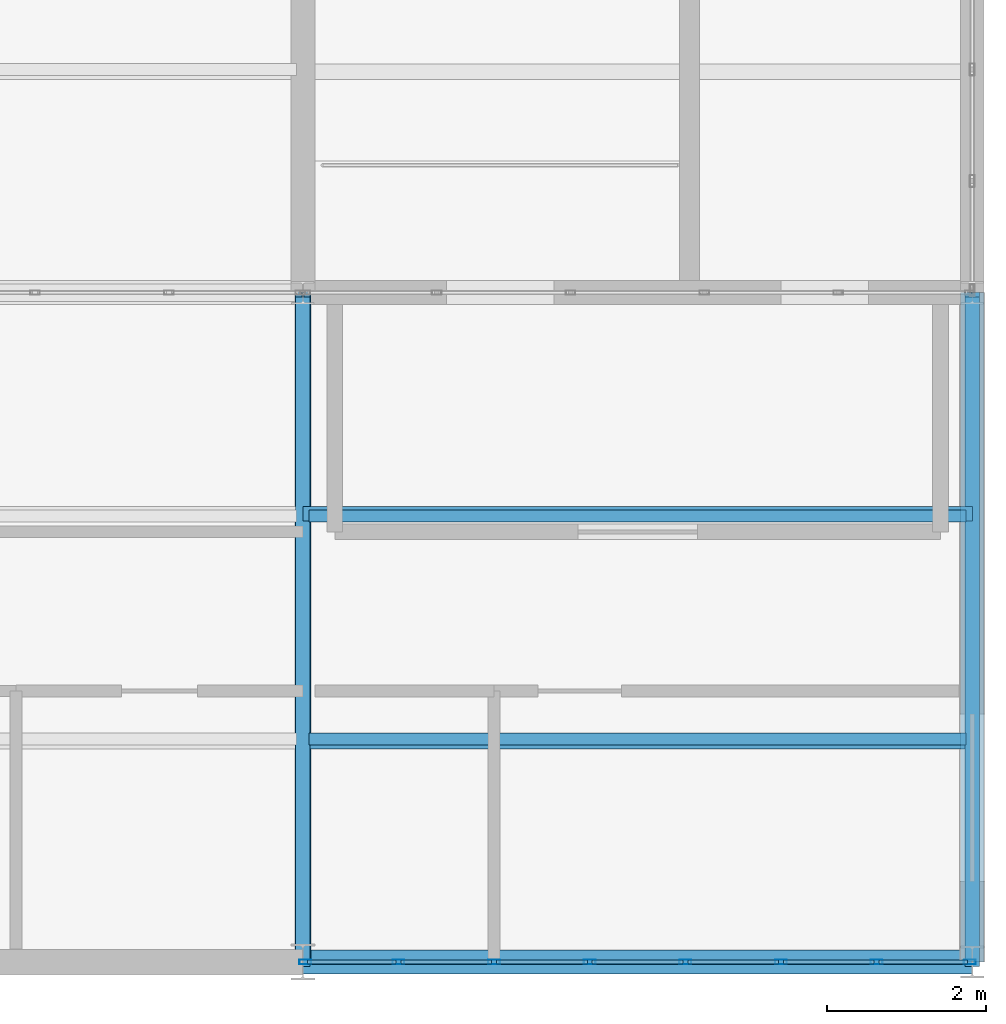
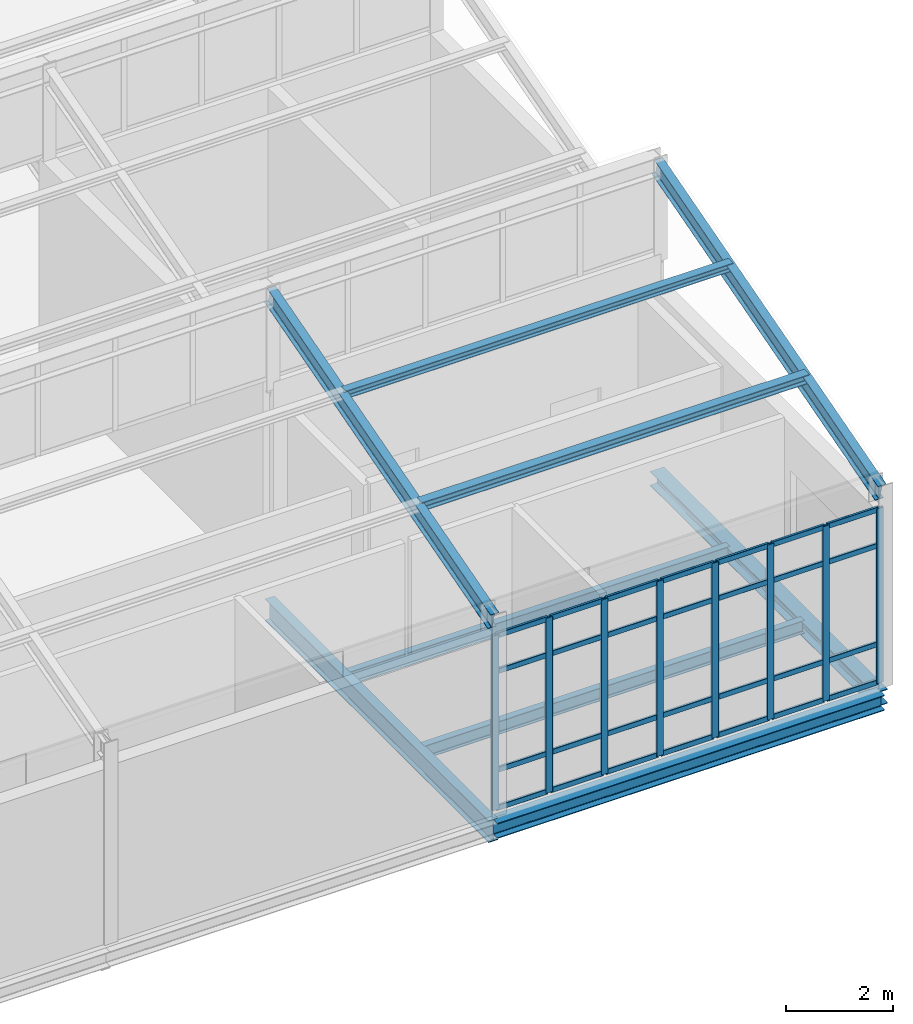
# One storey, part 30 of 53: 38 members, 7 beams, 1 element without a shape of its own.
"""IFC4 building model written with IfcOpenShell, lengths in metres."""

from ifc_helpers import new_model, si_unit, direction, frame, origin, origin_2d, place, context, subcontext, project, spatial, hollow_rectangle, i_section, extrude, material, layer, layer_set, material_profile, profile_set, type_object, element, aggregate, save


model = new_model("IFC4")

# Units and contexts
model_context = context("Model", 3, precision=1e-05, world=origin(), true_north=direction((0.0, 1.0)))
body_context = subcontext(model_context, "Body", "Model", "MODEL_VIEW")
ifc_project = project(units=[si_unit("LENGTHUNIT", "METRE"), si_unit("AREAUNIT", "SQUARE_METRE"), si_unit("VOLUMEUNIT", "CUBIC_METRE"), si_unit("PLANEANGLEUNIT", "RADIAN"), si_unit("MASSUNIT", "GRAM", prefix="KILO")], contexts=[model_context])

# Site, building, storey
site_placement = place(None, origin())
site = spatial("IfcSite", under=ifc_project, at=site_placement, CompositionType="ELEMENT")
building_placement = place(site_placement, origin())
building = spatial("IfcBuilding", under=site, at=building_placement, Name="Qalvenar Corner Mobility Hub", CompositionType="ELEMENT")
storey_placement = place(building_placement, frame((0.0, 0.0, 26.39990234375)))
storey = spatial("IfcBuildingStorey", under=building, at=storey_placement, Name="L06", CompositionType="ELEMENT", Elevation=26.39990234375)

# Beams
ifc_material_1 = material(Name="Steel S355", Category="steel")
ifc_material_profile_1 = material_profile(ifc_material_1, i_section(OverallWidth=0.179931640625, OverallDepth=0.39990234375, WebThickness=0.008544921875, FlangeThickness=0.013427734375, FilletRadius=0.02099609375, at=origin_2d()), Name="IPE400")
ifc_profile_set_1 = profile_set([ifc_material_profile_1], Name="Steel S355")
beam_type_1 = type_object("IfcBeamType", Name="BM-IPE400", PredefinedType="BEAM", material=ifc_profile_set_1)
for number, where, z_axis, x_axis, name in (
    (1, (33.60009765625, 0.0, 4.340087890625), (0.0, 0.96152605678, 0.274713745804), (-1.0, 0.0, 0.0), "Sawtooth Rafter V3RF-1-5"),
    (2, (42.0, 0.0, 4.340087890625), (0.0, 0.96152605678, 0.274713745804), (-1.0, 0.0, 0.0), "Sawtooth Rafter V3RF-1-6"),
):
    element("IfcBeam", number, at=place(storey_placement, frame(where, z_axis=z_axis, x_axis=x_axis)), inside=storey, type_object=beam_type_1, Name=name, PredefinedType="BEAM", context=body_context, shape_type="SweptSolid", body=[
        extrude(i_section(OverallWidth=0.179931640625, OverallDepth=0.39990234375, WebThickness=0.008544921875, FlangeThickness=0.013427734375, FilletRadius=0.02099609375, at=origin_2d()), origin(), (0.0, 0.0, 1.0), 8.736083984375),
    ])
ifc_material_profile_2 = material_profile(ifc_material_1, i_section(OverallWidth=0.199951171875, OverallDepth=0.5, WebThickness=0.01025390625, FlangeThickness=0.01611328125, FilletRadius=0.02099609375, at=origin_2d()), Name="IPE500")
ifc_profile_set_2 = profile_set([ifc_material_profile_2], Name="Steel S355")
beam_type_2 = type_object("IfcBeamType", Name="BM-IPE500", PredefinedType="BEAM", material=ifc_profile_set_2)
beam_1_placement = place(storey_placement, frame((33.60009765625, 0.0, -0.469970703125), z_axis=(0.0, 1.0, 0.0), x_axis=(-1.0, 0.0, 0.0)))
element("IfcBeam", 3, at=beam_1_placement, inside=storey, type_object=beam_type_2, Name="Primary Steel Girder GY-3093", PredefinedType="BEAM", context=body_context, shape_type="SweptSolid", body=[
    extrude(i_section(OverallWidth=0.199951171875, OverallDepth=0.5, WebThickness=0.01025390625, FlangeThickness=0.01611328125, FilletRadius=0.02099609375, at=origin_2d()), origin(), (0.0, 0.0, 1.0), 8.39990234375),
])
ifc_material_profile_3 = material_profile(ifc_material_1, i_section(OverallWidth=0.14990234375, OverallDepth=0.300048828125, WebThickness=0.007080078125, FlangeThickness=0.0107421875, FilletRadius=0.014892578125, at=origin_2d()), Name="IPE300")
ifc_profile_set_3 = profile_set([ifc_material_profile_3], Name="Steel S355")
beam_type_3 = type_object("IfcBeamType", Name="BM-JST300", PredefinedType="JOIST", material=ifc_profile_set_3)
for number, where, z_axis, x_axis, name in (
    (4, (33.677978515625, 2.800048828125, -0.369873046875), (1.0, 0.0, 0.0), (0.0, 1.0, 0.0), "Composite Floor Joist J-3132"),
    (5, (33.677978515625, 5.60009765625, -0.369873046875), (1.0, 0.0, 0.0), (0.0, 1.0, 0.0), "Composite Floor Joist J-3133"),
):
    element("IfcBeam", number, at=place(storey_placement, frame(where, z_axis=z_axis, x_axis=x_axis)), inside=storey, type_object=beam_type_3, Name=name, PredefinedType="JOIST", context=body_context, shape_type="SweptSolid", body=[
        extrude(i_section(OverallWidth=0.14990234375, OverallDepth=0.300048828125, WebThickness=0.007080078125, FlangeThickness=0.0107421875, FilletRadius=0.014892578125, at=origin_2d()), origin(), (0.0, 0.0, 1.0), 8.244140625),
    ])
ifc_material_profile_4 = material_profile(ifc_material_1, i_section(OverallWidth=0.300048828125, OverallDepth=0.330078125, WebThickness=0.009521484375, FlangeThickness=0.0166015625, FilletRadius=0.027099609375, at=origin_2d()), Name="HEA340")
ifc_profile_set_4 = profile_set([ifc_material_profile_4], Name="Steel S355")
beam_type_4 = type_object("IfcBeamType", Name="BM-SPN340", PredefinedType="SPANDREL", material=ifc_profile_set_4)
beam_2_placement = place(storey_placement, frame((42.0, 0.0, -0.385009765625), z_axis=(0.0, 1.0, 0.0), x_axis=(-1.0, 0.0, 0.0)))
element("IfcBeam", 6, at=beam_2_placement, inside=storey, type_object=beam_type_4, Name="Primary Steel Girder GY-3097", PredefinedType="SPANDREL", context=body_context, shape_type="SweptSolid", body=[
    extrude(i_section(OverallWidth=0.300048828125, OverallDepth=0.330078125, WebThickness=0.009521484375, FlangeThickness=0.0166015625, FilletRadius=0.027099609375, at=origin_2d()), origin(), (0.0, 0.0, 1.0), 8.39990234375),
])
ifc_material_profile_5 = material_profile(ifc_material_1, i_section(OverallWidth=0.300048828125, OverallDepth=0.35009765625, WebThickness=0.010009765625, FlangeThickness=0.017578125, FilletRadius=0.027099609375, at=origin_2d()), Name="HEA360")
ifc_profile_set_5 = profile_set([ifc_material_profile_5], Name="Steel S355")
beam_type_5 = type_object("IfcBeamType", Name="BM-SPN360", PredefinedType="SPANDREL", material=ifc_profile_set_5)
beam_3_placement = place(storey_placement, frame((33.60009765625, 0.0, -0.39501953125), z_axis=(1.0, 0.0, 0.0), x_axis=(0.0, 1.0, 0.0)))
element("IfcBeam", 7, at=beam_3_placement, inside=storey, type_object=beam_type_5, Name="Primary Steel Girder GX-3056", PredefinedType="SPANDREL", context=body_context, shape_type="SweptSolid", body=[
    extrude(i_section(OverallWidth=0.300048828125, OverallDepth=0.35009765625, WebThickness=0.010009765625, FlangeThickness=0.017578125, FilletRadius=0.027099609375, at=origin_2d()), origin(), (0.0, 0.0, 1.0), 8.39990234375),
])

# Curtain wall, members
ifc_material_2 = material(Name="Anodised Aluminium and Low-E Glazing", Category="aluminium")
ifc_layer = layer(ifc_material_2, 0.14990234375)
ifc_layer_set = layer_set([ifc_layer], Name="Anodised Aluminium and Low-E Glazing")
curtain_wall_type = type_object("IfcCurtainWallType", Name="CW-SPT-84X44", PredefinedType="NOTDEFINED", material=ifc_layer_set)
curtain_wall_placement = place(storey_placement, origin())
curtain_wall = element("IfcCurtainWall", 8, at=curtain_wall_placement, inside=storey, type_object=curtain_wall_type, Name="Glazed Curtain Wall CW-V3-L06-S4", PredefinedType="NOTDEFINED")
ifc_material_3 = material(Name="Anodised Aluminium 6063-T6", Category="aluminium")
ifc_material_profile_6 = material_profile(ifc_material_3, hollow_rectangle(XDim=0.06005859375, YDim=0.14990234375, WallThickness=0.00390625, InnerFilletRadius=0.00390625, OuterFilletRadius=0.008056640625, at=origin_2d()), Name="RHS150x60x4")
ifc_profile_set_6 = profile_set([ifc_material_profile_6], Name="Anodised Aluminium 6063-T6")
member_type_1 = type_object("IfcMemberType", Name="CW-MUL150", PredefinedType="MULLION", material=ifc_profile_set_6)
member_1_placement = place(storey_placement, frame((33.6298828125, 0.0, 0.0), z_axis=(0.0, 0.0, 1.0), x_axis=(0.0, 1.0, 0.0)))
member_1 = element("IfcMember", 9, at=member_1_placement, type_object=member_type_1, Name="CW-06 mullion 1", PredefinedType="MULLION", context=body_context, shape_type="SweptSolid", body=[
    extrude(hollow_rectangle(XDim=0.06005859375, YDim=0.14990234375, WallThickness=0.00390625, InnerFilletRadius=0.00390625, OuterFilletRadius=0.008056640625, at=origin_2d()), origin(), (0.0, 0.0, 1.0), 4.010009765625),
])
member_2_placement = place(storey_placement, frame((34.800048828125, 0.0, 0.0), z_axis=(0.0, 0.0, 1.0), x_axis=(0.0, 1.0, 0.0)))
member_2 = element("IfcMember", 10, at=member_2_placement, type_object=member_type_1, Name="CW-06 mullion 2", PredefinedType="MULLION", context=body_context, shape_type="SweptSolid", body=[
    extrude(hollow_rectangle(XDim=0.06005859375, YDim=0.14990234375, WallThickness=0.00390625, InnerFilletRadius=0.00390625, OuterFilletRadius=0.008056640625, at=origin_2d()), origin(), (0.0, 0.0, 1.0), 4.010009765625),
])
member_3_placement = place(storey_placement, frame((36.0, 0.0, 0.0), z_axis=(0.0, 0.0, 1.0), x_axis=(0.0, 1.0, 0.0)))
member_3 = element("IfcMember", 11, at=member_3_placement, type_object=member_type_1, Name="CW-06 mullion 3", PredefinedType="MULLION", context=body_context, shape_type="SweptSolid", body=[
    extrude(hollow_rectangle(XDim=0.06005859375, YDim=0.14990234375, WallThickness=0.00390625, InnerFilletRadius=0.00390625, OuterFilletRadius=0.008056640625, at=origin_2d()), origin(), (0.0, 0.0, 1.0), 4.010009765625),
])
member_4_placement = place(storey_placement, frame((37.199951171875, 0.0, 0.0), z_axis=(0.0, 0.0, 1.0), x_axis=(0.0, 1.0, 0.0)))
member_4 = element("IfcMember", 12, at=member_4_placement, type_object=member_type_1, Name="CW-06 mullion 4", PredefinedType="MULLION", context=body_context, shape_type="SweptSolid", body=[
    extrude(hollow_rectangle(XDim=0.06005859375, YDim=0.14990234375, WallThickness=0.00390625, InnerFilletRadius=0.00390625, OuterFilletRadius=0.008056640625, at=origin_2d()), origin(), (0.0, 0.0, 1.0), 4.010009765625),
])
member_5_placement = place(storey_placement, frame((38.39990234375, 0.0, 0.0), z_axis=(0.0, 0.0, 1.0), x_axis=(0.0, 1.0, 0.0)))
member_5 = element("IfcMember", 13, at=member_5_placement, type_object=member_type_1, Name="CW-06 mullion 5", PredefinedType="MULLION", context=body_context, shape_type="SweptSolid", body=[
    extrude(hollow_rectangle(XDim=0.06005859375, YDim=0.14990234375, WallThickness=0.00390625, InnerFilletRadius=0.00390625, OuterFilletRadius=0.008056640625, at=origin_2d()), origin(), (0.0, 0.0, 1.0), 4.010009765625),
])
member_6_placement = place(storey_placement, frame((39.60009765625, 0.0, 0.0), z_axis=(0.0, 0.0, 1.0), x_axis=(0.0, 1.0, 0.0)))
member_6 = element("IfcMember", 14, at=member_6_placement, type_object=member_type_1, Name="CW-06 mullion 6", PredefinedType="MULLION", context=body_context, shape_type="SweptSolid", body=[
    extrude(hollow_rectangle(XDim=0.06005859375, YDim=0.14990234375, WallThickness=0.00390625, InnerFilletRadius=0.00390625, OuterFilletRadius=0.008056640625, at=origin_2d()), origin(), (0.0, 0.0, 1.0), 4.010009765625),
])
member_7_placement = place(storey_placement, frame((40.800048828125, 0.0, 0.0), z_axis=(0.0, 0.0, 1.0), x_axis=(0.0, 1.0, 0.0)))
member_7 = element("IfcMember", 15, at=member_7_placement, type_object=member_type_1, Name="CW-06 mullion 7", PredefinedType="MULLION", context=body_context, shape_type="SweptSolid", body=[
    extrude(hollow_rectangle(XDim=0.06005859375, YDim=0.14990234375, WallThickness=0.00390625, InnerFilletRadius=0.00390625, OuterFilletRadius=0.008056640625, at=origin_2d()), origin(), (0.0, 0.0, 1.0), 4.010009765625),
])
member_8_placement = place(storey_placement, frame((41.969970703125, 0.0, 0.0), z_axis=(0.0, 0.0, 1.0), x_axis=(0.0, 1.0, 0.0)))
member_8 = element("IfcMember", 16, at=member_8_placement, type_object=member_type_1, Name="CW-06 mullion 8", PredefinedType="MULLION", context=body_context, shape_type="SweptSolid", body=[
    extrude(hollow_rectangle(XDim=0.06005859375, YDim=0.14990234375, WallThickness=0.00390625, InnerFilletRadius=0.00390625, OuterFilletRadius=0.008056640625, at=origin_2d()), origin(), (0.0, 0.0, 1.0), 4.010009765625),
])
ifc_material_profile_7 = material_profile(ifc_material_3, hollow_rectangle(XDim=0.054931640625, YDim=0.1201171875, WallThickness=0.00341796875, InnerFilletRadius=0.00341796875, OuterFilletRadius=0.007080078125, at=origin_2d()), Name="RHS120x55x3.5")
ifc_profile_set_7 = profile_set([ifc_material_profile_7], Name="Anodised Aluminium 6063-T6")
member_type_2 = type_object("IfcMemberType", Name="CW-TRN120", PredefinedType="USERDEFINED", material=ifc_profile_set_7)
member_9_placement = place(storey_placement, frame((33.659912109375, 0.0, 0.027587890625), z_axis=(1.0, 0.0, 0.0), x_axis=(0.0, 1.0, 0.0)))
member_9 = element("IfcMember", 17, at=member_9_placement, type_object=member_type_2, Name="CW-06 transom 1.1", ObjectType="TRANSOM", PredefinedType="USERDEFINED", context=body_context, shape_type="SweptSolid", body=[
    extrude(hollow_rectangle(XDim=0.054931640625, YDim=0.1201171875, WallThickness=0.00341796875, InnerFilletRadius=0.00341796875, OuterFilletRadius=0.007080078125, at=origin_2d()), origin(), (0.0, 0.0, 1.0), 1.110107421875),
])
member_10_placement = place(storey_placement, frame((33.659912109375, 0.0, 0.900146484375), z_axis=(1.0, 0.0, 0.0), x_axis=(0.0, 1.0, 0.0)))
member_10 = element("IfcMember", 18, at=member_10_placement, type_object=member_type_2, Name="CW-06 transom 1.2", ObjectType="TRANSOM", PredefinedType="USERDEFINED", context=body_context, shape_type="SweptSolid", body=[
    extrude(hollow_rectangle(XDim=0.054931640625, YDim=0.1201171875, WallThickness=0.00341796875, InnerFilletRadius=0.00341796875, OuterFilletRadius=0.007080078125, at=origin_2d()), origin(), (0.0, 0.0, 1.0), 1.110107421875),
])
member_11_placement = place(storey_placement, frame((33.659912109375, 0.0, 3.16015625), z_axis=(1.0, 0.0, 0.0), x_axis=(0.0, 1.0, 0.0)))
member_11 = element("IfcMember", 19, at=member_11_placement, type_object=member_type_2, Name="CW-06 transom 1.3", ObjectType="TRANSOM", PredefinedType="USERDEFINED", context=body_context, shape_type="SweptSolid", body=[
    extrude(hollow_rectangle(XDim=0.054931640625, YDim=0.1201171875, WallThickness=0.00341796875, InnerFilletRadius=0.00341796875, OuterFilletRadius=0.007080078125, at=origin_2d()), origin(), (0.0, 0.0, 1.0), 1.110107421875),
])
member_12_placement = place(storey_placement, frame((33.659912109375, 0.0, 3.982666015625), z_axis=(1.0, 0.0, 0.0), x_axis=(0.0, 1.0, 0.0)))
member_12 = element("IfcMember", 20, at=member_12_placement, type_object=member_type_2, Name="CW-06 transom 1.4", ObjectType="TRANSOM", PredefinedType="USERDEFINED", context=body_context, shape_type="SweptSolid", body=[
    extrude(hollow_rectangle(XDim=0.054931640625, YDim=0.1201171875, WallThickness=0.00341796875, InnerFilletRadius=0.00341796875, OuterFilletRadius=0.007080078125, at=origin_2d()), origin(), (0.0, 0.0, 1.0), 1.110107421875),
])
member_13_placement = place(storey_placement, frame((34.830078125, 0.0, 0.027587890625), z_axis=(1.0, 0.0, 0.0), x_axis=(0.0, 1.0, 0.0)))
member_13 = element("IfcMember", 21, at=member_13_placement, type_object=member_type_2, Name="CW-06 transom 2.1", ObjectType="TRANSOM", PredefinedType="USERDEFINED", context=body_context, shape_type="SweptSolid", body=[
    extrude(hollow_rectangle(XDim=0.054931640625, YDim=0.1201171875, WallThickness=0.00341796875, InnerFilletRadius=0.00341796875, OuterFilletRadius=0.007080078125, at=origin_2d()), origin(), (0.0, 0.0, 1.0), 1.139892578125),
])
member_14_placement = place(storey_placement, frame((34.830078125, 0.0, 0.900146484375), z_axis=(1.0, 0.0, 0.0), x_axis=(0.0, 1.0, 0.0)))
member_14 = element("IfcMember", 22, at=member_14_placement, type_object=member_type_2, Name="CW-06 transom 2.2", ObjectType="TRANSOM", PredefinedType="USERDEFINED", context=body_context, shape_type="SweptSolid", body=[
    extrude(hollow_rectangle(XDim=0.054931640625, YDim=0.1201171875, WallThickness=0.00341796875, InnerFilletRadius=0.00341796875, OuterFilletRadius=0.007080078125, at=origin_2d()), origin(), (0.0, 0.0, 1.0), 1.139892578125),
])
member_15_placement = place(storey_placement, frame((34.830078125, 0.0, 3.16015625), z_axis=(1.0, 0.0, 0.0), x_axis=(0.0, 1.0, 0.0)))
member_15 = element("IfcMember", 23, at=member_15_placement, type_object=member_type_2, Name="CW-06 transom 2.3", ObjectType="TRANSOM", PredefinedType="USERDEFINED", context=body_context, shape_type="SweptSolid", body=[
    extrude(hollow_rectangle(XDim=0.054931640625, YDim=0.1201171875, WallThickness=0.00341796875, InnerFilletRadius=0.00341796875, OuterFilletRadius=0.007080078125, at=origin_2d()), origin(), (0.0, 0.0, 1.0), 1.139892578125),
])
member_16_placement = place(storey_placement, frame((34.830078125, 0.0, 3.982666015625), z_axis=(1.0, 0.0, 0.0), x_axis=(0.0, 1.0, 0.0)))
member_16 = element("IfcMember", 24, at=member_16_placement, type_object=member_type_2, Name="CW-06 transom 2.4", ObjectType="TRANSOM", PredefinedType="USERDEFINED", context=body_context, shape_type="SweptSolid", body=[
    extrude(hollow_rectangle(XDim=0.054931640625, YDim=0.1201171875, WallThickness=0.00341796875, InnerFilletRadius=0.00341796875, OuterFilletRadius=0.007080078125, at=origin_2d()), origin(), (0.0, 0.0, 1.0), 1.139892578125),
])
member_17_placement = place(storey_placement, frame((36.030029296875, 0.0, 0.027587890625), z_axis=(1.0, 0.0, 0.0), x_axis=(0.0, 1.0, 0.0)))
member_17 = element("IfcMember", 25, at=member_17_placement, type_object=member_type_2, Name="CW-06 transom 3.1", ObjectType="TRANSOM", PredefinedType="USERDEFINED", context=body_context, shape_type="SweptSolid", body=[
    extrude(hollow_rectangle(XDim=0.054931640625, YDim=0.1201171875, WallThickness=0.00341796875, InnerFilletRadius=0.00341796875, OuterFilletRadius=0.007080078125, at=origin_2d()), origin(), (0.0, 0.0, 1.0), 1.139892578125),
])
member_18_placement = place(storey_placement, frame((36.030029296875, 0.0, 0.900146484375), z_axis=(1.0, 0.0, 0.0), x_axis=(0.0, 1.0, 0.0)))
member_18 = element("IfcMember", 26, at=member_18_placement, type_object=member_type_2, Name="CW-06 transom 3.2", ObjectType="TRANSOM", PredefinedType="USERDEFINED", context=body_context, shape_type="SweptSolid", body=[
    extrude(hollow_rectangle(XDim=0.054931640625, YDim=0.1201171875, WallThickness=0.00341796875, InnerFilletRadius=0.00341796875, OuterFilletRadius=0.007080078125, at=origin_2d()), origin(), (0.0, 0.0, 1.0), 1.139892578125),
])
member_19_placement = place(storey_placement, frame((36.030029296875, 0.0, 3.16015625), z_axis=(1.0, 0.0, 0.0), x_axis=(0.0, 1.0, 0.0)))
member_19 = element("IfcMember", 27, at=member_19_placement, type_object=member_type_2, Name="CW-06 transom 3.3", ObjectType="TRANSOM", PredefinedType="USERDEFINED", context=body_context, shape_type="SweptSolid", body=[
    extrude(hollow_rectangle(XDim=0.054931640625, YDim=0.1201171875, WallThickness=0.00341796875, InnerFilletRadius=0.00341796875, OuterFilletRadius=0.007080078125, at=origin_2d()), origin(), (0.0, 0.0, 1.0), 1.139892578125),
])
member_20_placement = place(storey_placement, frame((36.030029296875, 0.0, 3.982666015625), z_axis=(1.0, 0.0, 0.0), x_axis=(0.0, 1.0, 0.0)))
member_20 = element("IfcMember", 28, at=member_20_placement, type_object=member_type_2, Name="CW-06 transom 3.4", ObjectType="TRANSOM", PredefinedType="USERDEFINED", context=body_context, shape_type="SweptSolid", body=[
    extrude(hollow_rectangle(XDim=0.054931640625, YDim=0.1201171875, WallThickness=0.00341796875, InnerFilletRadius=0.00341796875, OuterFilletRadius=0.007080078125, at=origin_2d()), origin(), (0.0, 0.0, 1.0), 1.139892578125),
])
member_21_placement = place(storey_placement, frame((37.22998046875, 0.0, 0.027587890625), z_axis=(1.0, 0.0, 0.0), x_axis=(0.0, 1.0, 0.0)))
member_21 = element("IfcMember", 29, at=member_21_placement, type_object=member_type_2, Name="CW-06 transom 4.1", ObjectType="TRANSOM", PredefinedType="USERDEFINED", context=body_context, shape_type="SweptSolid", body=[
    extrude(hollow_rectangle(XDim=0.054931640625, YDim=0.1201171875, WallThickness=0.00341796875, InnerFilletRadius=0.00341796875, OuterFilletRadius=0.007080078125, at=origin_2d()), origin(), (0.0, 0.0, 1.0), 1.14013671875),
])
member_22_placement = place(storey_placement, frame((37.22998046875, 0.0, 0.900146484375), z_axis=(1.0, 0.0, 0.0), x_axis=(0.0, 1.0, 0.0)))
member_22 = element("IfcMember", 30, at=member_22_placement, type_object=member_type_2, Name="CW-06 transom 4.2", ObjectType="TRANSOM", PredefinedType="USERDEFINED", context=body_context, shape_type="SweptSolid", body=[
    extrude(hollow_rectangle(XDim=0.054931640625, YDim=0.1201171875, WallThickness=0.00341796875, InnerFilletRadius=0.00341796875, OuterFilletRadius=0.007080078125, at=origin_2d()), origin(), (0.0, 0.0, 1.0), 1.14013671875),
])
member_23_placement = place(storey_placement, frame((37.22998046875, 0.0, 3.16015625), z_axis=(1.0, 0.0, 0.0), x_axis=(0.0, 1.0, 0.0)))
member_23 = element("IfcMember", 31, at=member_23_placement, type_object=member_type_2, Name="CW-06 transom 4.3", ObjectType="TRANSOM", PredefinedType="USERDEFINED", context=body_context, shape_type="SweptSolid", body=[
    extrude(hollow_rectangle(XDim=0.054931640625, YDim=0.1201171875, WallThickness=0.00341796875, InnerFilletRadius=0.00341796875, OuterFilletRadius=0.007080078125, at=origin_2d()), origin(), (0.0, 0.0, 1.0), 1.14013671875),
])
member_24_placement = place(storey_placement, frame((37.22998046875, 0.0, 3.982666015625), z_axis=(1.0, 0.0, 0.0), x_axis=(0.0, 1.0, 0.0)))
member_24 = element("IfcMember", 32, at=member_24_placement, type_object=member_type_2, Name="CW-06 transom 4.4", ObjectType="TRANSOM", PredefinedType="USERDEFINED", context=body_context, shape_type="SweptSolid", body=[
    extrude(hollow_rectangle(XDim=0.054931640625, YDim=0.1201171875, WallThickness=0.00341796875, InnerFilletRadius=0.00341796875, OuterFilletRadius=0.007080078125, at=origin_2d()), origin(), (0.0, 0.0, 1.0), 1.14013671875),
])
member_25_placement = place(storey_placement, frame((38.429931640625, 0.0, 0.027587890625), z_axis=(1.0, 0.0, 0.0), x_axis=(0.0, 1.0, 0.0)))
member_25 = element("IfcMember", 33, at=member_25_placement, type_object=member_type_2, Name="CW-06 transom 5.1", ObjectType="TRANSOM", PredefinedType="USERDEFINED", context=body_context, shape_type="SweptSolid", body=[
    extrude(hollow_rectangle(XDim=0.054931640625, YDim=0.1201171875, WallThickness=0.00341796875, InnerFilletRadius=0.00341796875, OuterFilletRadius=0.007080078125, at=origin_2d()), origin(), (0.0, 0.0, 1.0), 1.14013671875),
])
member_26_placement = place(storey_placement, frame((38.429931640625, 0.0, 0.900146484375), z_axis=(1.0, 0.0, 0.0), x_axis=(0.0, 1.0, 0.0)))
member_26 = element("IfcMember", 34, at=member_26_placement, type_object=member_type_2, Name="CW-06 transom 5.2", ObjectType="TRANSOM", PredefinedType="USERDEFINED", context=body_context, shape_type="SweptSolid", body=[
    extrude(hollow_rectangle(XDim=0.054931640625, YDim=0.1201171875, WallThickness=0.00341796875, InnerFilletRadius=0.00341796875, OuterFilletRadius=0.007080078125, at=origin_2d()), origin(), (0.0, 0.0, 1.0), 1.14013671875),
])
member_27_placement = place(storey_placement, frame((38.429931640625, 0.0, 3.16015625), z_axis=(1.0, 0.0, 0.0), x_axis=(0.0, 1.0, 0.0)))
member_27 = element("IfcMember", 35, at=member_27_placement, type_object=member_type_2, Name="CW-06 transom 5.3", ObjectType="TRANSOM", PredefinedType="USERDEFINED", context=body_context, shape_type="SweptSolid", body=[
    extrude(hollow_rectangle(XDim=0.054931640625, YDim=0.1201171875, WallThickness=0.00341796875, InnerFilletRadius=0.00341796875, OuterFilletRadius=0.007080078125, at=origin_2d()), origin(), (0.0, 0.0, 1.0), 1.14013671875),
])
member_28_placement = place(storey_placement, frame((38.429931640625, 0.0, 3.982666015625), z_axis=(1.0, 0.0, 0.0), x_axis=(0.0, 1.0, 0.0)))
member_28 = element("IfcMember", 36, at=member_28_placement, type_object=member_type_2, Name="CW-06 transom 5.4", ObjectType="TRANSOM", PredefinedType="USERDEFINED", context=body_context, shape_type="SweptSolid", body=[
    extrude(hollow_rectangle(XDim=0.054931640625, YDim=0.1201171875, WallThickness=0.00341796875, InnerFilletRadius=0.00341796875, OuterFilletRadius=0.007080078125, at=origin_2d()), origin(), (0.0, 0.0, 1.0), 1.14013671875),
])
member_29_placement = place(storey_placement, frame((39.6298828125, 0.0, 0.027587890625), z_axis=(1.0, 0.0, 0.0), x_axis=(0.0, 1.0, 0.0)))
member_29 = element("IfcMember", 37, at=member_29_placement, type_object=member_type_2, Name="CW-06 transom 6.1", ObjectType="TRANSOM", PredefinedType="USERDEFINED", context=body_context, shape_type="SweptSolid", body=[
    extrude(hollow_rectangle(XDim=0.054931640625, YDim=0.1201171875, WallThickness=0.00341796875, InnerFilletRadius=0.00341796875, OuterFilletRadius=0.007080078125, at=origin_2d()), origin(), (0.0, 0.0, 1.0), 1.14013671875),
])
member_30_placement = place(storey_placement, frame((39.6298828125, 0.0, 0.900146484375), z_axis=(1.0, 0.0, 0.0), x_axis=(0.0, 1.0, 0.0)))
member_30 = element("IfcMember", 38, at=member_30_placement, type_object=member_type_2, Name="CW-06 transom 6.2", ObjectType="TRANSOM", PredefinedType="USERDEFINED", context=body_context, shape_type="SweptSolid", body=[
    extrude(hollow_rectangle(XDim=0.054931640625, YDim=0.1201171875, WallThickness=0.00341796875, InnerFilletRadius=0.00341796875, OuterFilletRadius=0.007080078125, at=origin_2d()), origin(), (0.0, 0.0, 1.0), 1.14013671875),
])
member_31_placement = place(storey_placement, frame((39.6298828125, 0.0, 3.16015625), z_axis=(1.0, 0.0, 0.0), x_axis=(0.0, 1.0, 0.0)))
member_31 = element("IfcMember", 39, at=member_31_placement, type_object=member_type_2, Name="CW-06 transom 6.3", ObjectType="TRANSOM", PredefinedType="USERDEFINED", context=body_context, shape_type="SweptSolid", body=[
    extrude(hollow_rectangle(XDim=0.054931640625, YDim=0.1201171875, WallThickness=0.00341796875, InnerFilletRadius=0.00341796875, OuterFilletRadius=0.007080078125, at=origin_2d()), origin(), (0.0, 0.0, 1.0), 1.14013671875),
])
member_32_placement = place(storey_placement, frame((39.6298828125, 0.0, 3.982666015625), z_axis=(1.0, 0.0, 0.0), x_axis=(0.0, 1.0, 0.0)))
member_32 = element("IfcMember", 40, at=member_32_placement, type_object=member_type_2, Name="CW-06 transom 6.4", ObjectType="TRANSOM", PredefinedType="USERDEFINED", context=body_context, shape_type="SweptSolid", body=[
    extrude(hollow_rectangle(XDim=0.054931640625, YDim=0.1201171875, WallThickness=0.00341796875, InnerFilletRadius=0.00341796875, OuterFilletRadius=0.007080078125, at=origin_2d()), origin(), (0.0, 0.0, 1.0), 1.14013671875),
])
member_33_placement = place(storey_placement, frame((40.830078125, 0.0, 0.027587890625), z_axis=(1.0, 0.0, 0.0), x_axis=(0.0, 1.0, 0.0)))
member_33 = element("IfcMember", 41, at=member_33_placement, type_object=member_type_2, Name="CW-06 transom 7.1", ObjectType="TRANSOM", PredefinedType="USERDEFINED", context=body_context, shape_type="SweptSolid", body=[
    extrude(hollow_rectangle(XDim=0.054931640625, YDim=0.1201171875, WallThickness=0.00341796875, InnerFilletRadius=0.00341796875, OuterFilletRadius=0.007080078125, at=origin_2d()), origin(), (0.0, 0.0, 1.0), 1.10986328125),
])
member_34_placement = place(storey_placement, frame((40.830078125, 0.0, 0.900146484375), z_axis=(1.0, 0.0, 0.0), x_axis=(0.0, 1.0, 0.0)))
member_34 = element("IfcMember", 42, at=member_34_placement, type_object=member_type_2, Name="CW-06 transom 7.2", ObjectType="TRANSOM", PredefinedType="USERDEFINED", context=body_context, shape_type="SweptSolid", body=[
    extrude(hollow_rectangle(XDim=0.054931640625, YDim=0.1201171875, WallThickness=0.00341796875, InnerFilletRadius=0.00341796875, OuterFilletRadius=0.007080078125, at=origin_2d()), origin(), (0.0, 0.0, 1.0), 1.10986328125),
])
member_35_placement = place(storey_placement, frame((40.830078125, 0.0, 3.16015625), z_axis=(1.0, 0.0, 0.0), x_axis=(0.0, 1.0, 0.0)))
member_35 = element("IfcMember", 43, at=member_35_placement, type_object=member_type_2, Name="CW-06 transom 7.3", ObjectType="TRANSOM", PredefinedType="USERDEFINED", context=body_context, shape_type="SweptSolid", body=[
    extrude(hollow_rectangle(XDim=0.054931640625, YDim=0.1201171875, WallThickness=0.00341796875, InnerFilletRadius=0.00341796875, OuterFilletRadius=0.007080078125, at=origin_2d()), origin(), (0.0, 0.0, 1.0), 1.10986328125),
])
member_36_placement = place(storey_placement, frame((40.830078125, 0.0, 3.982666015625), z_axis=(1.0, 0.0, 0.0), x_axis=(0.0, 1.0, 0.0)))
member_36 = element("IfcMember", 44, at=member_36_placement, type_object=member_type_2, Name="CW-06 transom 7.4", ObjectType="TRANSOM", PredefinedType="USERDEFINED", context=body_context, shape_type="SweptSolid", body=[
    extrude(hollow_rectangle(XDim=0.054931640625, YDim=0.1201171875, WallThickness=0.00341796875, InnerFilletRadius=0.00341796875, OuterFilletRadius=0.007080078125, at=origin_2d()), origin(), (0.0, 0.0, 1.0), 1.10986328125),
])
aggregate(curtain_wall, [member_1, member_2, member_3, member_4, member_5, member_6, member_7, member_8, member_9, member_10, member_11, member_12, member_13, member_14, member_15, member_16, member_17, member_18, member_19, member_20, member_21, member_22, member_23, member_24, member_25, member_26, member_27, member_28, member_29, member_30, member_31, member_32, member_33, member_34, member_35, member_36])

# Members
ifc_material_profile_8 = material_profile(ifc_material_1, i_section(OverallWidth=0.179931640625, OverallDepth=0.179931640625, WebThickness=0.008544921875, FlangeThickness=0.013916015625, FilletRadius=0.014892578125, at=origin_2d()), Name="HEB180")
ifc_profile_set_8 = profile_set([ifc_material_profile_8], Name="Steel S355")
member_type_3 = type_object("IfcMemberType", Name="PR-RHS180", PredefinedType="PURLIN", material=ifc_profile_set_8)
member_37_placement = place(storey_placement, frame((33.60009765625, 5.6279296875, 6.148193359375), z_axis=(1.0, 0.0, 0.0), x_axis=(0.0, 1.0, 0.0)))
element("IfcMember", 45, at=member_37_placement, inside=storey, type_object=member_type_3, Name="Sawtooth Roof Purlin PR-V3-1-5-67", PredefinedType="PURLIN", context=body_context, shape_type="SweptSolid", body=[
    extrude(i_section(OverallWidth=0.179931640625, OverallDepth=0.179931640625, WebThickness=0.008544921875, FlangeThickness=0.013916015625, FilletRadius=0.014892578125, at=origin_2d()), origin(), (0.0, 0.0, 1.0), 8.39990234375),
])
ifc_material_profile_9 = material_profile(ifc_material_1, i_section(OverallWidth=0.199951171875, OverallDepth=0.199951171875, WebThickness=0.009033203125, FlangeThickness=0.014892578125, FilletRadius=0.01806640625, at=origin_2d()), Name="HEB200")
ifc_profile_set_9 = profile_set([ifc_material_profile_9], Name="Steel S355")
member_type_4 = type_object("IfcMemberType", Name="PR-RHS200", PredefinedType="PURLIN", material=ifc_profile_set_9)
member_38_placement = place(storey_placement, frame((33.60009765625, 2.77197265625, 5.322021484375), z_axis=(1.0, 0.0, 0.0), x_axis=(0.0, 1.0, 0.0)))
element("IfcMember", 46, at=member_38_placement, inside=storey, type_object=member_type_4, Name="Sawtooth Roof Purlin PR-V3-1-5-33", PredefinedType="PURLIN", context=body_context, shape_type="SweptSolid", body=[
    extrude(i_section(OverallWidth=0.199951171875, OverallDepth=0.199951171875, WebThickness=0.009033203125, FlangeThickness=0.014892578125, FilletRadius=0.01806640625, at=origin_2d()), origin(), (0.0, 0.0, 1.0), 8.39990234375),
])

save(model, "model.ifc")
